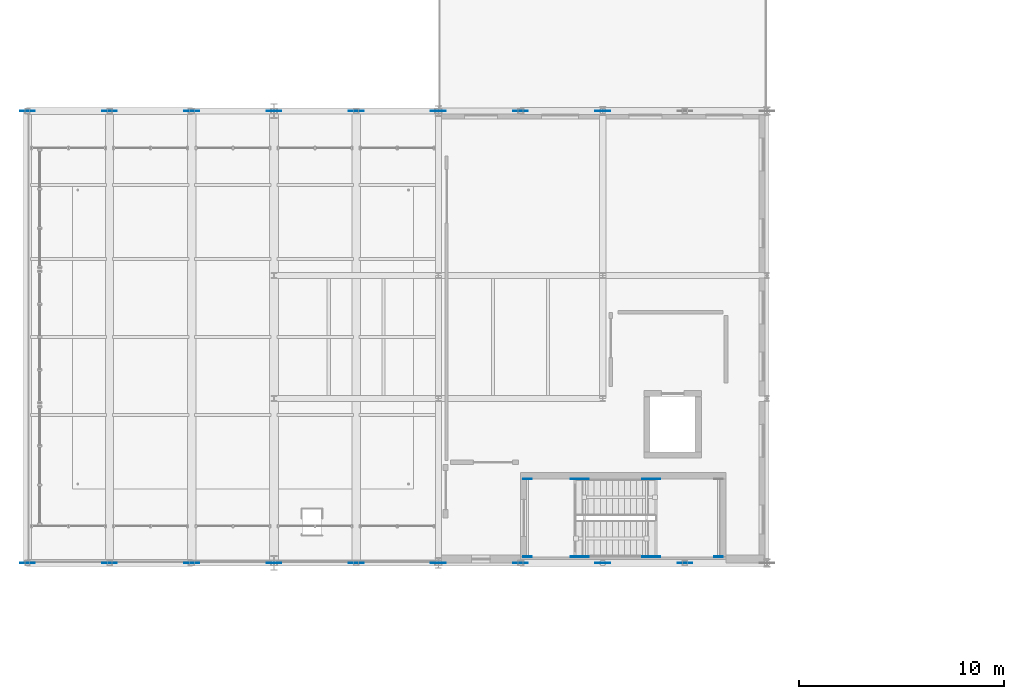
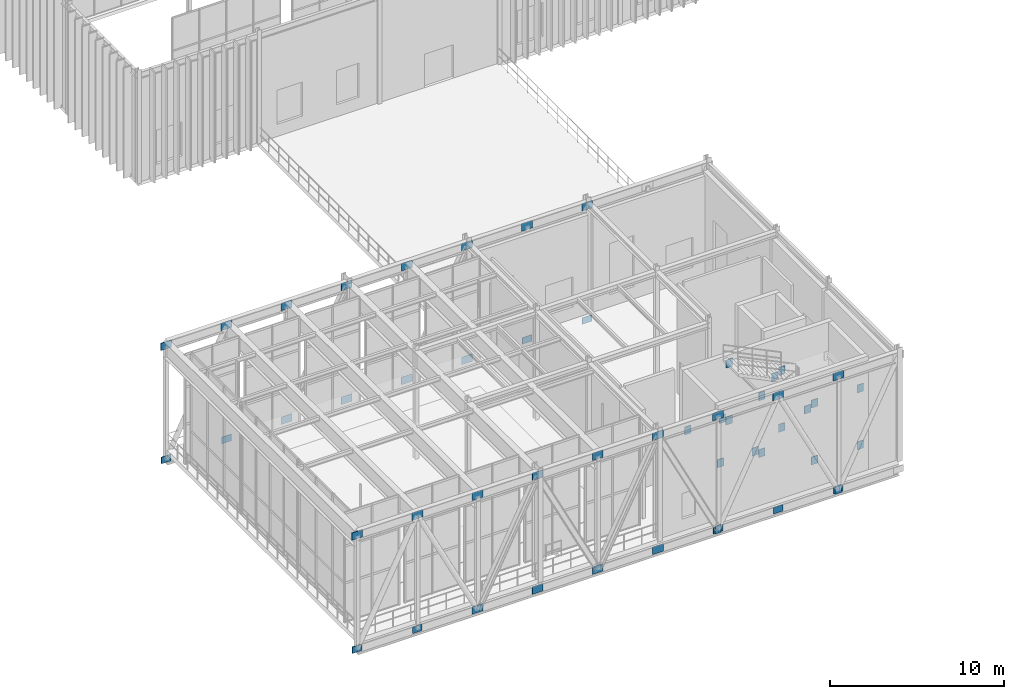
# One storey, part 81 of 138: 55 plates.
"""IFC4 building model written with IfcOpenShell, lengths in metres."""

from ifc_helpers import new_model, si_unit, direction, frame, origin, origin_2d, place, context, subcontext, project, spatial, rectangle, extrude, material, layer, layer_set, type_object, element, save


model = new_model("IFC4")

# Units and contexts
model_context = context("Model", 3, precision=1e-05, world=origin(), true_north=direction((0.0, 1.0)))
body_context = subcontext(model_context, "Body", "Model", "MODEL_VIEW")
ifc_project = project(units=[si_unit("LENGTHUNIT", "METRE"), si_unit("AREAUNIT", "SQUARE_METRE"), si_unit("VOLUMEUNIT", "CUBIC_METRE"), si_unit("PLANEANGLEUNIT", "RADIAN"), si_unit("MASSUNIT", "GRAM", prefix="KILO")], contexts=[model_context])

# Site, building, storey
site_placement = place(None, origin())
site = spatial("IfcSite", under=ifc_project, at=site_placement, CompositionType="ELEMENT")
building_placement = place(site_placement, origin())
building = spatial("IfcBuilding", under=site, at=building_placement, Name="Sundkrona Museum", CompositionType="ELEMENT")
storey_placement = place(building_placement, frame((0.0, 0.0, 9.60009765625)))
storey = spatial("IfcBuildingStorey", under=building, at=storey_placement, Name="L02", CompositionType="ELEMENT", Elevation=9.60009765625)

# Plates
ifc_material_1 = material(Name="Steel S355J2", Category="steel")
ifc_layer_1 = layer(ifc_material_1, 0.034912109375)
ifc_layer_set_1 = layer_set([ifc_layer_1], Name="Steel S355J2")
plate_type_1 = type_object("IfcPlateType", Name="EP-1", PredefinedType="USERDEFINED", material=ifc_layer_set_1)
for number, where, z_axis, x_axis, name in (
    (1, (28.0, 32.0, -0.960205078125), (0.0, 0.0, 1.0), (1.0, 0.0, 0.0), "Core Wall Cast-In Embed Plate TR4-S-DG-06-2"),
    (2, (32.0, 32.0, 7.039794921875), (0.0, 0.0, 1.0), (1.0, 0.0, 0.0), "Core Wall Cast-In Embed Plate TR4-S-DG-07-2"),
    (3, (36.0, 32.0, -0.960205078125), (0.0, 0.0, 1.0), (1.0, 0.0, 0.0), "Core Wall Cast-In Embed Plate TR4-S-DG-08-2"),
    (4, (28.0, 32.0, 7.039794921875), (0.0, 0.0, 1.0), (1.0, 0.0, 0.0), "Core Wall Cast-In Embed Plate TR4-S-VT-07-2"),
    (5, (36.0, 32.0, 7.039794921875), (0.0, 0.0, 1.0), (1.0, 0.0, 0.0), "Core Wall Cast-In Embed Plate TR4-S-VT-09-2"),
    (6, (34.598388671875, 32.31005859375, 1.39990234375), (0.0, 0.0, 1.0), (1.0, 0.0, 0.0), "Core Wall Cast-In Embed Plate BM-STLD-ST-4-L02-1A-1"),
    (7, (34.598388671875, 36.090087890625, 1.39990234375), (0.0, 0.0, 1.0), (1.0, 0.0, 0.0), "Core Wall Cast-In Embed Plate BM-STLD-ST-4-L02-1A-2"),
    (8, (37.63671875, 32.31005859375, 1.39990234375), (0.0, 0.0, 1.0), (1.0, 0.0, 0.0), "Core Wall Cast-In Embed Plate BM-STLD-ST-4-L02-1B-1"),
    (9, (28.347900390625, 32.31005859375, 3.39990234375), (0.0, 0.0, 1.0), (1.0, 0.0, 0.0), "Core Wall Cast-In Embed Plate BM-STLD-ST-4-L02-2A-1"),
    (10, (28.347900390625, 36.090087890625, 3.39990234375), (0.0, 0.0, 1.0), (1.0, 0.0, 0.0), "Core Wall Cast-In Embed Plate BM-STLD-ST-4-L02-2A-2"),
    (11, (30.652099609375, 32.31005859375, 3.39990234375), (0.0, 0.0, 1.0), (1.0, 0.0, 0.0), "Core Wall Cast-In Embed Plate BM-STLD-ST-4-L02-2B-1"),
    (12, (30.652099609375, 36.090087890625, 3.39990234375), (0.0, 0.0, 1.0), (1.0, 0.0, 0.0), "Core Wall Cast-In Embed Plate BM-STLD-ST-4-L02-2B-2"),
    (13, (34.598388671875, 32.31005859375, 5.39990234375), (0.0, 0.0, 1.0), (1.0, 0.0, 0.0), "Core Wall Cast-In Embed Plate BM-STLD-ST-4-L02-3A-1"),
    (14, (34.598388671875, 36.090087890625, 5.39990234375), (0.0, 0.0, 1.0), (1.0, 0.0, 0.0), "Core Wall Cast-In Embed Plate BM-STLD-ST-4-L02-3A-2"),
    (15, (37.63671875, 32.31005859375, 5.39990234375), (0.0, 0.0, 1.0), (1.0, 0.0, 0.0), "Core Wall Cast-In Embed Plate BM-STLD-ST-4-L02-3B-1"),
    (16, (31.10009765625, 32.31005859375, 3.143798828125), (0.0, 0.0, 1.0), (1.0, 0.0, 0.0), "Core Wall Cast-In Embed Plate BM-STHD-ST-4-L02-2-1"),
    (17, (31.10009765625, 36.090087890625, 3.143798828125), (0.0, 0.0, 1.0), (1.0, 0.0, 0.0), "Core Wall Cast-In Embed Plate BM-STHD-ST-4-L02-2-2"),
    (18, (34.135009765625, 32.31005859375, 5.143798828125), (0.0, 0.0, 1.0), (1.0, 0.0, 0.0), "Core Wall Cast-In Embed Plate BM-STHD-ST-4-L02-3-1"),
    (19, (34.135009765625, 36.090087890625, 5.143798828125), (0.0, 0.0, 1.0), (1.0, 0.0, 0.0), "Core Wall Cast-In Embed Plate BM-STHD-ST-4-L02-3-2"),
    (20, (31.10009765625, 32.31005859375, 7.143798828125), (0.0, 0.0, 1.0), (1.0, 0.0, 0.0), "Core Wall Cast-In Embed Plate BM-STHD-ST-4-L02-4-1"),
    (21, (31.10009765625, 36.090087890625, 7.143798828125), (0.0, 0.0, 1.0), (1.0, 0.0, 0.0), "Core Wall Cast-In Embed Plate BM-STHD-ST-4-L02-4-2"),
):
    element("IfcPlate", number, at=place(storey_placement, frame(where, z_axis=z_axis, x_axis=x_axis)), inside=storey, type_object=plate_type_1, Name=name, ObjectType="GUSSET PLATE", PredefinedType="USERDEFINED", context=body_context, shape_type="SweptSolid", body=[
        extrude(rectangle(XDim=0.419921875, YDim=0.034912109375, at=origin_2d()), origin(), (0.0, 0.0, 1.0), 0.56005859375),
    ])
ifc_material_2 = material(Name="Steel S460M", Category="steel")
ifc_layer_2 = layer(ifc_material_2, 0.0400390625)
ifc_layer_set_2 = layer_set([ifc_layer_2], Name="Steel S460M")
plate_type_2 = type_object("IfcPlateType", Name="GP-1", PredefinedType="USERDEFINED", material=ifc_layer_set_2)
for number, where, z_axis, x_axis, name in (
    (22, (4.0, 32.0, 7.059814453125), (0.0, 0.0, 1.0), (1.0, 0.0, 0.0), "Transfer Truss S Top Node Gusset GP-1"),
    (23, (8.0, 32.0, 7.059814453125), (0.0, 0.0, 1.0), (1.0, 0.0, 0.0), "Transfer Truss S Top Node Gusset GP-1"),
    (24, (12.0, 32.0, -0.940185546875), (0.0, 0.0, 1.0), (1.0, 0.0, 0.0), "Transfer Truss S Bottom Node Gusset GP-1"),
    (25, (12.0, 32.0, 7.059814453125), (0.0, 0.0, 1.0), (1.0, 0.0, 0.0), "Transfer Truss S Top Node Gusset GP-1"),
    (26, (16.0, 32.0, -0.940185546875), (0.0, 0.0, 1.0), (1.0, 0.0, 0.0), "Transfer Truss S Bottom Node Gusset GP-1"),
    (27, (16.0, 32.0, 7.059814453125), (0.0, 0.0, 1.0), (1.0, 0.0, 0.0), "Transfer Truss S Top Node Gusset GP-1"),
    (28, (20.0, 32.0, -0.940185546875), (0.0, 0.0, 1.0), (1.0, 0.0, 0.0), "Transfer Truss S Bottom Node Gusset GP-1"),
    (29, (20.0, 32.0, 7.059814453125), (0.0, 0.0, 1.0), (1.0, 0.0, 0.0), "Transfer Truss S Top Node Gusset GP-1"),
    (30, (24.0, 32.0, -0.940185546875), (0.0, 0.0, 1.0), (1.0, 0.0, 0.0), "Transfer Truss S Bottom Node Gusset GP-1"),
    (31, (24.0, 32.0, 7.059814453125), (0.0, 0.0, 1.0), (1.0, 0.0, 0.0), "Transfer Truss S Top Node Gusset GP-1"),
    (32, (28.0, 32.0, 7.059814453125), (0.0, 0.0, 1.0), (1.0, 0.0, 0.0), "Transfer Truss S Top Node Gusset GP-1"),
    (33, (32.0, 32.0, 7.059814453125), (0.0, 0.0, 1.0), (1.0, 0.0, 0.0), "Transfer Truss S Top Node Gusset GP-1"),
    (34, (36.0, 32.0, 7.059814453125), (0.0, 0.0, 1.0), (1.0, 0.0, 0.0), "Transfer Truss S Top Node Gusset GP-1"),
    (35, (4.0, 54.0, 7.059814453125), (0.0, 0.0, 1.0), (1.0, 0.0, 0.0), "Transfer Truss N Top Node Gusset GP-1"),
    (36, (8.0, 54.0, 7.059814453125), (0.0, 0.0, 1.0), (1.0, 0.0, 0.0), "Transfer Truss N Top Node Gusset GP-1"),
    (37, (12.0, 54.0, -0.940185546875), (0.0, 0.0, 1.0), (1.0, 0.0, 0.0), "Transfer Truss N Bottom Node Gusset GP-1"),
    (38, (12.0, 54.0, 7.059814453125), (0.0, 0.0, 1.0), (1.0, 0.0, 0.0), "Transfer Truss N Top Node Gusset GP-1"),
    (39, (16.0, 54.0, -0.940185546875), (0.0, 0.0, 1.0), (1.0, 0.0, 0.0), "Transfer Truss N Bottom Node Gusset GP-1"),
    (40, (16.0, 54.0, 7.059814453125), (0.0, 0.0, 1.0), (1.0, 0.0, 0.0), "Transfer Truss N Top Node Gusset GP-1"),
    (41, (20.0, 54.0, -0.940185546875), (0.0, 0.0, 1.0), (1.0, 0.0, 0.0), "Transfer Truss N Bottom Node Gusset GP-1"),
    (42, (20.0, 54.0, 7.059814453125), (0.0, 0.0, 1.0), (1.0, 0.0, 0.0), "Transfer Truss N Top Node Gusset GP-1"),
    (43, (24.0, 54.0, -0.940185546875), (0.0, 0.0, 1.0), (1.0, 0.0, 0.0), "Transfer Truss N Bottom Node Gusset GP-1"),
    (44, (24.0, 54.0, 7.059814453125), (0.0, 0.0, 1.0), (1.0, 0.0, 0.0), "Transfer Truss N Top Node Gusset GP-1"),
    (45, (28.0, 54.0, 7.059814453125), (0.0, 0.0, 1.0), (1.0, 0.0, 0.0), "Transfer Truss N Top Node Gusset GP-1"),
    (46, (32.0, 54.0, 7.059814453125), (0.0, 0.0, 1.0), (1.0, 0.0, 0.0), "Transfer Truss N Top Node Gusset GP-1"),
):
    element("IfcPlate", number, at=place(storey_placement, frame(where, z_axis=z_axis, x_axis=x_axis)), inside=storey, type_object=plate_type_2, Name=name, ObjectType="GUSSET PLATE", PredefinedType="USERDEFINED", context=body_context, shape_type="SweptSolid", body=[
        extrude(rectangle(XDim=0.719970703125, YDim=0.0400390625, at=origin_2d()), origin(), (0.0, 0.0, 1.0), 0.52001953125),
    ])
ifc_layer_3 = layer(ifc_material_2, 0.034912109375)
ifc_layer_set_3 = layer_set([ifc_layer_3], Name="Steel S460M")
plate_type_3 = type_object("IfcPlateType", Name="GP-2", PredefinedType="USERDEFINED", material=ifc_layer_set_3)
for number, where, z_axis, x_axis, name in (
    (47, (4.0, 32.0, -0.91015625), (0.0, 0.0, 1.0), (1.0, 0.0, 0.0), "Transfer Truss S Bottom Node Gusset GP-2"),
    (48, (8.0, 32.0, -0.91015625), (0.0, 0.0, 1.0), (1.0, 0.0, 0.0), "Transfer Truss S Bottom Node Gusset GP-2"),
    (49, (28.0, 32.0, -0.91015625), (0.0, 0.0, 1.0), (1.0, 0.0, 0.0), "Transfer Truss S Bottom Node Gusset GP-2"),
    (50, (32.0, 32.0, -0.91015625), (0.0, 0.0, 1.0), (1.0, 0.0, 0.0), "Transfer Truss S Bottom Node Gusset GP-2"),
    (51, (36.0, 32.0, -0.91015625), (0.0, 0.0, 1.0), (1.0, 0.0, 0.0), "Transfer Truss S Bottom Node Gusset GP-2"),
    (52, (4.0, 54.0, -0.91015625), (0.0, 0.0, 1.0), (1.0, 0.0, 0.0), "Transfer Truss N Bottom Node Gusset GP-2"),
    (53, (8.0, 54.0, -0.91015625), (0.0, 0.0, 1.0), (1.0, 0.0, 0.0), "Transfer Truss N Bottom Node Gusset GP-2"),
    (54, (28.0, 54.0, -0.91015625), (0.0, 0.0, 1.0), (1.0, 0.0, 0.0), "Transfer Truss N Bottom Node Gusset GP-2"),
    (55, (32.0, 54.0, -0.91015625), (0.0, 0.0, 1.0), (1.0, 0.0, 0.0), "Transfer Truss N Bottom Node Gusset GP-2"),
):
    element("IfcPlate", number, at=place(storey_placement, frame(where, z_axis=z_axis, x_axis=x_axis)), inside=storey, type_object=plate_type_3, Name=name, ObjectType="GUSSET PLATE", PredefinedType="USERDEFINED", context=body_context, shape_type="SweptSolid", body=[
        extrude(rectangle(XDim=0.639892578125, YDim=0.034912109375, at=origin_2d()), origin(), (0.0, 0.0, 1.0), 0.4599609375),
    ])

save(model, "model.ifc")
